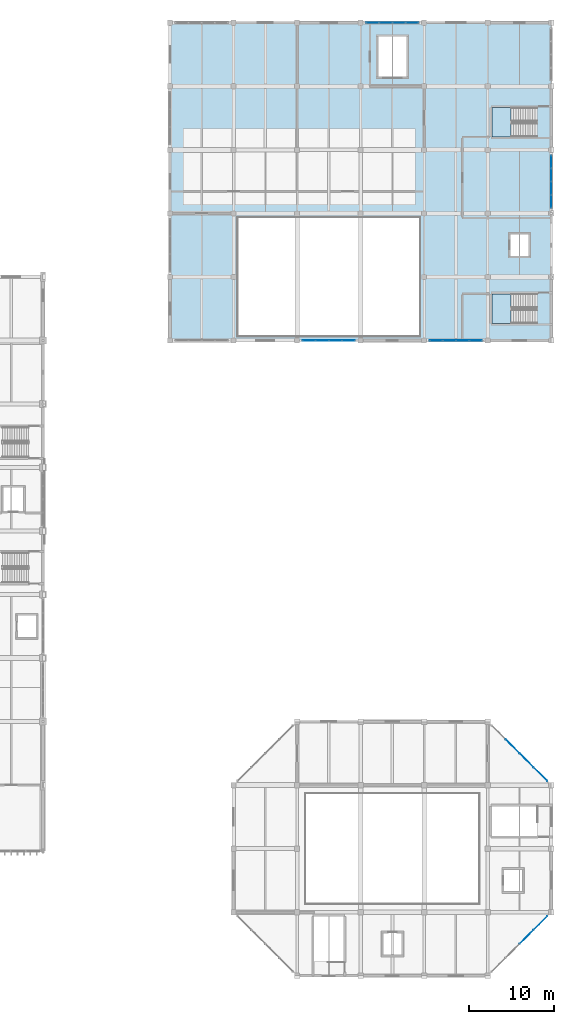
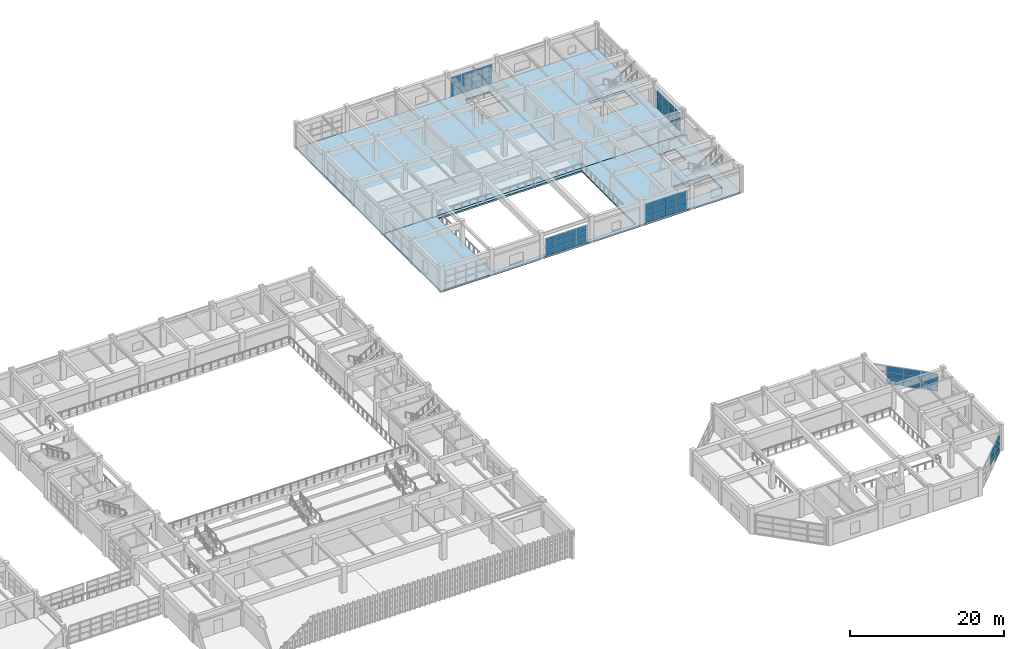
# One storey, part 85 of 124: 62 plates, 4 slabs, 8 elements without a shape of their own.
"""IFC4 building model written with IfcOpenShell, lengths in metres."""

import ifcopenshell
import ifcopenshell.guid

model = None  # the IFC model being written
_history = None  # IfcOwnerHistory: only IFC2X3 demands one
_inside = {}  # id of a spatial element -> (the spatial element, [elements in it])
_under = {}  # id of a project, library or spatial element -> (it, [spatial elements below it])
_declared = {}  # id of a project -> (the project, [libraries it declares])
_typed = {}  # id of a type object -> (the type object, [elements of that type])
_made_of = {}  # id of a material, layer set ... -> (it, [elements and type objects made of it])


def new_model(schema):
    """Start an empty IFC model of exactly this schema.

    Asked for "IFC4X3", IfcOpenShell would pick the latest addendum, in which some entities
    have other attributes; the version numbers below select the first issue.
    IFC2X3 requires an IfcOwnerHistory on every rooted entity: one is made here for all.
    """
    global model, _history
    if schema == "IFC4X3":
        model = ifcopenshell.file(schema_version=(4, 3, 0, 0))
    else:
        model = ifcopenshell.file(schema=schema)
    _inside.clear()
    _under.clear()
    _declared.clear()
    _typed.clear()
    _made_of.clear()
    _history = None
    if model.schema == "IFC2X3":
        org = make("IfcOrganization", Name="unknown")
        user = make(
            "IfcPersonAndOrganization",
            ThePerson=make("IfcPerson", FamilyName="unknown"),
            TheOrganization=org,
        )
        app = make(
            "IfcApplication",
            ApplicationDeveloper=org,
            Version="unknown",
            ApplicationFullName="unknown",
            ApplicationIdentifier="unknown",
        )
        _history = make(
            "IfcOwnerHistory",
            OwningUser=user,
            OwningApplication=app,
            ChangeAction="ADDED",
            CreationDate=0,
        )
    return model


def make(cls, **values):
    """One entity of the class cls with the attributes given. An attribute that is None is left unset."""
    return model.create_entity(
        cls, **{name: value for name, value in values.items() if value is not None}
    )


def rooted(cls, **values):
    """An entity with a GlobalId (a new one), such as an element, a storey or a relation."""
    return make(cls, GlobalId=ifcopenshell.guid.new(), OwnerHistory=_history, **values)


def si_unit(unit_type, name, prefix=None):
    """IfcSIUnit, for example si_unit("LENGTHUNIT", "METRE", prefix="MILLI")."""
    return make("IfcSIUnit", UnitType=unit_type, Prefix=prefix, Name=name)


def assignment(units):
    """IfcUnitAssignment: the units of a project."""
    return None if units is None else make("IfcUnitAssignment", Units=units)


def point(xyz):
    """IfcCartesianPoint."""
    return None if xyz is None else make("IfcCartesianPoint", Coordinates=xyz)


def direction(xyz):
    """IfcDirection."""
    return None if xyz is None else make("IfcDirection", DirectionRatios=xyz)


def frame(location, z_axis=None, x_axis=None):
    """IfcAxis2Placement3D, a coordinate frame: its origin and axes. An axis left out is left unset."""
    return make(
        "IfcAxis2Placement3D",
        Location=point(location),
        Axis=direction(z_axis),
        RefDirection=direction(x_axis),
    )


def frame_2d(location, x_axis=None):
    """IfcAxis2Placement2D, a coordinate frame in the plane: its origin and x axis."""
    return make(
        "IfcAxis2Placement2D", Location=point(location), RefDirection=direction(x_axis)
    )


def origin():
    """The frame at (0, 0, 0) with its axes left unset."""
    return frame((0.0, 0.0, 0.0))


def origin_2d():
    """The frame at (0, 0) in the plane with its x axis left unset."""
    return frame_2d((0.0, 0.0))


def place(relative_to, where):
    """IfcLocalPlacement: puts the frame where relative to a parent placement (None: the world)."""
    return make(
        "IfcLocalPlacement", PlacementRelTo=relative_to, RelativePlacement=where
    )


def context(
    kind, dimensions, precision=None, world=None, true_north=None, identifier=None
):
    """IfcGeometricRepresentationContext, for example the 3D "Model" context."""
    return make(
        "IfcGeometricRepresentationContext",
        ContextIdentifier=identifier,
        ContextType=kind,
        CoordinateSpaceDimension=dimensions,
        Precision=precision,
        WorldCoordinateSystem=world,
        TrueNorth=true_north,
    )


def subcontext(parent, identifier, kind, view, scale=None):
    """IfcGeometricRepresentationSubContext, for example "Body" below "Model"."""
    return make(
        "IfcGeometricRepresentationSubContext",
        ContextIdentifier=identifier,
        ContextType=kind,
        ParentContext=parent,
        TargetScale=scale,
        TargetView=view,
    )


def project(units=None, contexts=None):
    """IfcProject with its units and contexts."""
    return rooted(
        "IfcProject",
        Name="project",
        RepresentationContexts=contexts,
        UnitsInContext=assignment(units),
    )


def spatial(cls, under=None, at=None, **own):
    """A site, building, storey or space (cls), placed at a placement, below another one or the project."""
    s = rooted(cls, ObjectPlacement=at, **own)
    if under is not None:
        _under.setdefault(under.id(), (under, []))[1].append(s)
    return s


def polyline(points):
    """IfcPolyline through the points."""
    return make("IfcPolyline", Points=[point(p) for p in points])


def profile(cls, at=None, kind="AREA", **sizes):
    """A parametric profile (cls). Its sizes go by their IFC names, for example OverallWidth=200.0."""
    return make(cls, ProfileType=kind, Position=at, **sizes)


def rectangle(**sizes):
    """IfcRectangleProfileDef."""
    return profile("IfcRectangleProfileDef", **sizes)


def outline(outer, holes=None, kind="AREA"):
    """IfcArbitraryClosedProfileDef: a profile drawn as a closed curve; with holes, ...WithVoids."""
    if holes is None:
        return make("IfcArbitraryClosedProfileDef", ProfileType=kind, OuterCurve=outer)
    return make(
        "IfcArbitraryProfileDefWithVoids",
        ProfileType=kind,
        OuterCurve=outer,
        InnerCurves=holes,
    )


def extrude(swept, where, along, depth):
    """IfcExtrudedAreaSolid: the profile swept, set in the frame where, extruded along a direction by depth."""
    return make(
        "IfcExtrudedAreaSolid",
        SweptArea=swept,
        Position=where,
        ExtrudedDirection=direction(along),
        Depth=depth,
    )


def shape(context_of_items, identifier, shape_type, items):
    """IfcShapeRepresentation: the items that make up one representation, for example the "Body"."""
    return make(
        "IfcShapeRepresentation",
        ContextOfItems=context_of_items,
        RepresentationIdentifier=identifier,
        RepresentationType=shape_type,
        Items=items,
    )


def material(Name=None, Category=None):
    """IfcMaterial."""
    return make("IfcMaterial", Name=Name, Category=Category)


def layer(
    of_material, thickness, ventilated=None, Name=None, Category=None, Priority=None
):
    """IfcMaterialLayer: one layer of a wall or slab, of a material (None: an air gap)."""
    return make(
        "IfcMaterialLayer",
        Material=of_material,
        LayerThickness=thickness,
        IsVentilated=ventilated,
        Name=Name,
        Category=Category,
        Priority=Priority,
    )


def layer_set(layers, Name=None):
    """IfcMaterialLayerSet."""
    return make("IfcMaterialLayerSet", MaterialLayers=layers, LayerSetName=Name)


def made_of(thing, what):
    """Note that an element or type object is made of a material, layer set ...; save() writes the relation."""
    if what is not None:
        _made_of.setdefault(what.id(), (what, []))[1].append(thing)
    return thing


def type_object(cls, material=None, **own):
    """A type object (cls), such as IfcWallType, which elements share."""
    return made_of(rooted(cls, **own), material)


def element(
    cls,
    number,
    at=None,
    inside=None,
    cuts=None,
    type_object=None,
    material=None,
    context=None,
    identifier="Body",
    shape_type=None,
    held_by="IfcProductDefinitionShape",
    body=None,
    shapes=None,
    **own,
):
    """One element of the class cls, such as IfcWall. Its Tag is "e" and its number.

    at: its placement. inside: the storey or other place that contains it. cuts: it is an
    opening in that element (IfcRelVoidsElement). A single representation is given by context,
    identifier, shape_type and body (its items); several are given by shapes. held_by: the class
    of the entity that holds the representations. save() writes the other relations.
    """
    e = rooted(cls, Tag="e%d" % number, ObjectPlacement=at, **own)
    if body is not None:
        shapes = [shape(context, identifier, shape_type, body)]
    if shapes is not None:
        e.Representation = make(held_by, Representations=shapes)
    if inside is not None:
        _inside.setdefault(inside.id(), (inside, []))[1].append(e)
    if cuts is not None:
        rooted(
            "IfcRelVoidsElement", RelatingBuildingElement=cuts, RelatedOpeningElement=e
        )
    if type_object is not None:
        _typed.setdefault(type_object.id(), (type_object, []))[1].append(e)
    return made_of(e, material)


def aggregate(whole, parts):
    """IfcRelAggregates: a whole, such as a stair, and the parts it consists of."""
    return rooted("IfcRelAggregates", RelatingObject=whole, RelatedObjects=parts)


def save(model, path):
    """Write the relations noted so far, then the file.

    IfcRelAggregates (storeys below a building ...), IfcRelContainedInSpatialStructure (elements
    in a storey), IfcRelDefinesByType, IfcRelAssociatesMaterial and IfcRelDeclares: one each for
    every whole, place, type object, material and project.
    """
    for whole, parts in _under.values():
        aggregate(whole, parts)
    for where, things in _inside.values():
        rooted(
            "IfcRelContainedInSpatialStructure",
            RelatedElements=things,
            RelatingStructure=where,
        )
    for kind, things in _typed.values():
        rooted("IfcRelDefinesByType", RelatedObjects=things, RelatingType=kind)
    for what, things in _made_of.values():
        rooted("IfcRelAssociatesMaterial", RelatedObjects=things, RelatingMaterial=what)
    for by, libraries in _declared.values():
        rooted("IfcRelDeclares", RelatingContext=by, RelatedDefinitions=libraries)
    model.write(path)


model = new_model("IFC4")

# Units and contexts
model_context = context("Model", 3, precision=1e-05, world=origin(), true_north=direction((0.0, 1.0)))
body_context = subcontext(model_context, "Body", "Model", "MODEL_VIEW")
ifc_project = project(units=[si_unit("LENGTHUNIT", "METRE"), si_unit("AREAUNIT", "SQUARE_METRE"), si_unit("VOLUMEUNIT", "CUBIC_METRE"), si_unit("PLANEANGLEUNIT", "RADIAN"), si_unit("MASSUNIT", "GRAM", prefix="KILO")], contexts=[model_context])

# Site, building, storey
site_placement = place(None, origin())
site = spatial("IfcSite", under=ifc_project, at=site_placement, CompositionType="ELEMENT")
building_placement = place(site_placement, origin())
building = spatial("IfcBuilding", under=site, at=building_placement, Name="Qasida Concert Hall", CompositionType="ELEMENT")
storey_placement = place(building_placement, frame((0.0, 0.0, 9.0)))
storey = spatial("IfcBuildingStorey", under=building, at=storey_placement, Name="L02", CompositionType="ELEMENT", Elevation=9.0)

# Curtain wall, plates
ifc_material_1 = material(Name="Architectural bronze-anodized aluminium and low-E glass", Category="aluminium")
curtain_wall_type_1 = type_object("IfcCurtainWallType", Name="CW-07", PredefinedType="NOTDEFINED", material=ifc_material_1)
curtain_wall_1_placement = place(storey_placement, origin())
curtain_wall_1 = element("IfcCurtainWall", 1, at=curtain_wall_1_placement, inside=storey, type_object=curtain_wall_type_1, Name="L02 curtain wall CW-07 0147", PredefinedType="NOTDEFINED")
ifc_material_2 = material(Name="Solar-control low-E double glazing", Category="glass")
ifc_layer_1 = layer(ifc_material_2, 0.031982421875, Name="Solar-control low-E double glazing")
ifc_layer_set_1 = layer_set([ifc_layer_1], Name="Solar-control low-E double glazing")
plate_type = type_object("IfcPlateType", Name="PLT-CWP-2", PredefinedType="CURTAIN_PANEL", material=ifc_layer_set_1)
plate_1_placement = place(storey_placement, frame((162.077880859375, 4.577880859375, 1.00341796875), z_axis=(0.0, 0.0, 1.0), x_axis=(0.707106781187, 0.707106781187, 0.0)))
plate_1 = element("IfcPlate", 2, at=plate_1_placement, type_object=plate_type, Name="CW-07 panel 3.2", PredefinedType="CURTAIN_PANEL", context=body_context, shape_type="SweptSolid", body=[
    extrude(rectangle(XDim=2.276611328125, YDim=0.031982421875, at=origin_2d()), origin(), (0.0, 0.0, 1.0), 0.913330078125),
])
plate_2_placement = place(storey_placement, frame((162.077880859375, 4.577880859375, 1.976806640625), z_axis=(0.0, 0.0, 1.0), x_axis=(0.707106781187, 0.707106781187, 0.0)))
plate_2 = element("IfcPlate", 3, at=plate_2_placement, type_object=plate_type, Name="CW-07 panel 3.3", PredefinedType="CURTAIN_PANEL", context=body_context, shape_type="SweptSolid", body=[
    extrude(rectangle(XDim=2.276611328125, YDim=0.031982421875, at=origin_2d()), origin(), (0.0, 0.0, 1.0), 0.88330078125),
])
plate_3_placement = place(storey_placement, frame((163.72216796875, 6.22216796875, 0.06005859375), z_axis=(0.0, 0.0, 1.0), x_axis=(0.707106781187, 0.707106781187, 0.0)))
plate_3 = element("IfcPlate", 4, at=plate_3_placement, type_object=plate_type, Name="CW-07 panel 4.1", PredefinedType="CURTAIN_PANEL", context=body_context, shape_type="SweptSolid", body=[
    extrude(rectangle(XDim=2.244140625, YDim=0.031982421875, at=origin_2d()), origin(), (0.0, 0.0, 1.0), 0.88330078125),
])
plate_4_placement = place(storey_placement, frame((163.72216796875, 6.22216796875, 1.00341796875), z_axis=(0.0, 0.0, 1.0), x_axis=(0.707106781187, 0.707106781187, 0.0)))
plate_4 = element("IfcPlate", 5, at=plate_4_placement, type_object=plate_type, Name="CW-07 panel 4.2", PredefinedType="CURTAIN_PANEL", context=body_context, shape_type="SweptSolid", body=[
    extrude(rectangle(XDim=2.244140625, YDim=0.031982421875, at=origin_2d()), origin(), (0.0, 0.0, 1.0), 0.913330078125),
])
plate_5_placement = place(storey_placement, frame((163.72216796875, 6.22216796875, 1.976806640625), z_axis=(0.0, 0.0, 1.0), x_axis=(0.707106781187, 0.707106781187, 0.0)))
plate_5 = element("IfcPlate", 6, at=plate_5_placement, type_object=plate_type, Name="CW-07 panel 4.3", PredefinedType="CURTAIN_PANEL", context=body_context, shape_type="SweptSolid", body=[
    extrude(rectangle(XDim=2.244140625, YDim=0.031982421875, at=origin_2d()), origin(), (0.0, 0.0, 1.0), 0.88330078125),
])
aggregate(curtain_wall_1, [plate_1, plate_2, plate_3, plate_4, plate_5])

curtain_wall_2_placement = place(storey_placement, origin())
curtain_wall_2 = element("IfcCurtainWall", 7, at=curtain_wall_2_placement, inside=storey, type_object=curtain_wall_type_1, Name="L02 curtain wall CW-07 0148", PredefinedType="NOTDEFINED")
plate_6_placement = place(storey_placement, frame((163.72216796875, 23.77783203125, 0.06005859375), z_axis=(0.0, 0.0, 1.0), x_axis=(-0.707106781187, 0.707106781187, 0.0)))
plate_6 = element("IfcPlate", 8, at=plate_6_placement, type_object=plate_type, Name="CW-07 panel 1.1", PredefinedType="CURTAIN_PANEL", context=body_context, shape_type="SweptSolid", body=[
    extrude(rectangle(XDim=2.244140625, YDim=0.031982421875, at=origin_2d()), origin(), (0.0, 0.0, 1.0), 0.88330078125),
])
plate_7_placement = place(storey_placement, frame((163.72216796875, 23.77783203125, 1.00341796875), z_axis=(0.0, 0.0, 1.0), x_axis=(-0.707106781187, 0.707106781187, 0.0)))
plate_7 = element("IfcPlate", 9, at=plate_7_placement, type_object=plate_type, Name="CW-07 panel 1.2", PredefinedType="CURTAIN_PANEL", context=body_context, shape_type="SweptSolid", body=[
    extrude(rectangle(XDim=2.244140625, YDim=0.031982421875, at=origin_2d()), origin(), (0.0, 0.0, 1.0), 0.913330078125),
])
plate_8_placement = place(storey_placement, frame((163.72216796875, 23.77783203125, 1.976806640625), z_axis=(0.0, 0.0, 1.0), x_axis=(-0.707106781187, 0.707106781187, 0.0)))
plate_8 = element("IfcPlate", 10, at=plate_8_placement, type_object=plate_type, Name="CW-07 panel 1.3", PredefinedType="CURTAIN_PANEL", context=body_context, shape_type="SweptSolid", body=[
    extrude(rectangle(XDim=2.244140625, YDim=0.031982421875, at=origin_2d()), origin(), (0.0, 0.0, 1.0), 0.88330078125),
])
plate_9_placement = place(storey_placement, frame((162.077880859375, 25.422119140625, 0.06005859375), z_axis=(0.0, 0.0, 1.0), x_axis=(-0.707106781187, 0.707106781187, 0.0)))
plate_9 = element("IfcPlate", 11, at=plate_9_placement, type_object=plate_type, Name="CW-07 panel 2.1", PredefinedType="CURTAIN_PANEL", context=body_context, shape_type="SweptSolid", body=[
    extrude(rectangle(XDim=2.276611328125, YDim=0.031982421875, at=origin_2d()), origin(), (0.0, 0.0, 1.0), 0.88330078125),
])
plate_10_placement = place(storey_placement, frame((162.077880859375, 25.422119140625, 1.00341796875), z_axis=(0.0, 0.0, 1.0), x_axis=(-0.707106781187, 0.707106781187, 0.0)))
plate_10 = element("IfcPlate", 12, at=plate_10_placement, type_object=plate_type, Name="CW-07 panel 2.2", PredefinedType="CURTAIN_PANEL", context=body_context, shape_type="SweptSolid", body=[
    extrude(rectangle(XDim=2.276611328125, YDim=0.031982421875, at=origin_2d()), origin(), (0.0, 0.0, 1.0), 0.913330078125),
])
plate_11_placement = place(storey_placement, frame((162.077880859375, 25.422119140625, 1.976806640625), z_axis=(0.0, 0.0, 1.0), x_axis=(-0.707106781187, 0.707106781187, 0.0)))
plate_11 = element("IfcPlate", 13, at=plate_11_placement, type_object=plate_type, Name="CW-07 panel 2.3", PredefinedType="CURTAIN_PANEL", context=body_context, shape_type="SweptSolid", body=[
    extrude(rectangle(XDim=2.276611328125, YDim=0.031982421875, at=origin_2d()), origin(), (0.0, 0.0, 1.0), 0.88330078125),
])
plate_12_placement = place(storey_placement, frame((160.422119140625, 27.077880859375, 0.06005859375), z_axis=(0.0, 0.0, 1.0), x_axis=(-0.707106781187, 0.707106781187, 0.0)))
plate_12 = element("IfcPlate", 14, at=plate_12_placement, type_object=plate_type, Name="CW-07 panel 3.1", PredefinedType="CURTAIN_PANEL", context=body_context, shape_type="SweptSolid", body=[
    extrude(rectangle(XDim=2.276611328125, YDim=0.031982421875, at=origin_2d()), origin(), (0.0, 0.0, 1.0), 0.88330078125),
])
plate_13_placement = place(storey_placement, frame((160.422119140625, 27.077880859375, 1.00341796875), z_axis=(0.0, 0.0, 1.0), x_axis=(-0.707106781187, 0.707106781187, 0.0)))
plate_13 = element("IfcPlate", 15, at=plate_13_placement, type_object=plate_type, Name="CW-07 panel 3.2", PredefinedType="CURTAIN_PANEL", context=body_context, shape_type="SweptSolid", body=[
    extrude(rectangle(XDim=2.276611328125, YDim=0.031982421875, at=origin_2d()), origin(), (0.0, 0.0, 1.0), 0.913330078125),
])
plate_14_placement = place(storey_placement, frame((160.422119140625, 27.077880859375, 1.976806640625), z_axis=(0.0, 0.0, 1.0), x_axis=(-0.707106781187, 0.707106781187, 0.0)))
plate_14 = element("IfcPlate", 16, at=plate_14_placement, type_object=plate_type, Name="CW-07 panel 3.3", PredefinedType="CURTAIN_PANEL", context=body_context, shape_type="SweptSolid", body=[
    extrude(rectangle(XDim=2.276611328125, YDim=0.031982421875, at=origin_2d()), origin(), (0.0, 0.0, 1.0), 0.88330078125),
])
aggregate(curtain_wall_2, [plate_6, plate_7, plate_8, plate_9, plate_10, plate_11, plate_12, plate_13, plate_14])

curtain_wall_type_2 = type_object("IfcCurtainWallType", Name="CW-03", PredefinedType="NOTDEFINED", material=ifc_material_1)
curtain_wall_3_placement = place(storey_placement, origin())
curtain_wall_3 = element("IfcCurtainWall", 17, at=curtain_wall_3_placement, inside=storey, type_object=curtain_wall_type_2, Name="L02 curtain wall CW-03 0171", PredefinedType="NOTDEFINED")
plate_15_placement = place(storey_placement, frame((136.418701171875, 75.0, 0.06005859375), z_axis=(0.0, 0.0, 1.0), x_axis=(1.0, 0.0, 0.0)))
plate_15 = element("IfcPlate", 18, at=plate_15_placement, type_object=plate_type, Name="CW-03 panel 1.1", PredefinedType="CURTAIN_PANEL", context=body_context, shape_type="SweptSolid", body=[
    extrude(rectangle(XDim=1.467529296875, YDim=0.031982421875, at=origin_2d()), origin(), (0.0, 0.0, 1.0), 0.86669921875),
])
plate_16_placement = place(storey_placement, frame((136.418701171875, 75.0, 0.98681640625), z_axis=(0.0, 0.0, 1.0), x_axis=(1.0, 0.0, 0.0)))
plate_16 = element("IfcPlate", 19, at=plate_16_placement, type_object=plate_type, Name="CW-03 panel 1.2", PredefinedType="CURTAIN_PANEL", context=body_context, shape_type="SweptSolid", body=[
    extrude(rectangle(XDim=1.467529296875, YDim=0.031982421875, at=origin_2d()), origin(), (0.0, 0.0, 1.0), 0.896484375),
])
plate_17_placement = place(storey_placement, frame((136.418701171875, 75.0, 1.943359375), z_axis=(0.0, 0.0, 1.0), x_axis=(1.0, 0.0, 0.0)))
plate_17 = element("IfcPlate", 20, at=plate_17_placement, type_object=plate_type, Name="CW-03 panel 1.3", PredefinedType="CURTAIN_PANEL", context=body_context, shape_type="SweptSolid", body=[
    extrude(rectangle(XDim=1.467529296875, YDim=0.031982421875, at=origin_2d()), origin(), (0.0, 0.0, 1.0), 0.86669921875),
])
plate_18_placement = place(storey_placement, frame((137.967529296875, 75.0, 0.06005859375), z_axis=(0.0, 0.0, 1.0), x_axis=(1.0, 0.0, 0.0)))
plate_18 = element("IfcPlate", 21, at=plate_18_placement, type_object=plate_type, Name="CW-03 panel 2.1", PredefinedType="CURTAIN_PANEL", context=body_context, shape_type="SweptSolid", body=[
    extrude(rectangle(XDim=1.5, YDim=0.031982421875, at=origin_2d()), origin(), (0.0, 0.0, 1.0), 0.86669921875),
])
plate_19_placement = place(storey_placement, frame((137.967529296875, 75.0, 0.98681640625), z_axis=(0.0, 0.0, 1.0), x_axis=(1.0, 0.0, 0.0)))
plate_19 = element("IfcPlate", 22, at=plate_19_placement, type_object=plate_type, Name="CW-03 panel 2.2", PredefinedType="CURTAIN_PANEL", context=body_context, shape_type="SweptSolid", body=[
    extrude(rectangle(XDim=1.5, YDim=0.031982421875, at=origin_2d()), origin(), (0.0, 0.0, 1.0), 0.896484375),
])
plate_20_placement = place(storey_placement, frame((137.967529296875, 75.0, 1.943359375), z_axis=(0.0, 0.0, 1.0), x_axis=(1.0, 0.0, 0.0)))
plate_20 = element("IfcPlate", 23, at=plate_20_placement, type_object=plate_type, Name="CW-03 panel 2.3", PredefinedType="CURTAIN_PANEL", context=body_context, shape_type="SweptSolid", body=[
    extrude(rectangle(XDim=1.5, YDim=0.031982421875, at=origin_2d()), origin(), (0.0, 0.0, 1.0), 0.86669921875),
])
plate_21_placement = place(storey_placement, frame((139.532470703125, 75.0, 0.06005859375), z_axis=(0.0, 0.0, 1.0), x_axis=(1.0, 0.0, 0.0)))
plate_21 = element("IfcPlate", 24, at=plate_21_placement, type_object=plate_type, Name="CW-03 panel 3.1", PredefinedType="CURTAIN_PANEL", context=body_context, shape_type="SweptSolid", body=[
    extrude(rectangle(XDim=1.5, YDim=0.031982421875, at=origin_2d()), origin(), (0.0, 0.0, 1.0), 0.86669921875),
])
plate_22_placement = place(storey_placement, frame((139.532470703125, 75.0, 0.98681640625), z_axis=(0.0, 0.0, 1.0), x_axis=(1.0, 0.0, 0.0)))
plate_22 = element("IfcPlate", 25, at=plate_22_placement, type_object=plate_type, Name="CW-03 panel 3.2", PredefinedType="CURTAIN_PANEL", context=body_context, shape_type="SweptSolid", body=[
    extrude(rectangle(XDim=1.5, YDim=0.031982421875, at=origin_2d()), origin(), (0.0, 0.0, 1.0), 0.896484375),
])
plate_23_placement = place(storey_placement, frame((139.532470703125, 75.0, 1.943359375), z_axis=(0.0, 0.0, 1.0), x_axis=(1.0, 0.0, 0.0)))
plate_23 = element("IfcPlate", 26, at=plate_23_placement, type_object=plate_type, Name="CW-03 panel 3.3", PredefinedType="CURTAIN_PANEL", context=body_context, shape_type="SweptSolid", body=[
    extrude(rectangle(XDim=1.5, YDim=0.031982421875, at=origin_2d()), origin(), (0.0, 0.0, 1.0), 0.86669921875),
])
plate_24_placement = place(storey_placement, frame((141.081298828125, 75.0, 0.06005859375), z_axis=(0.0, 0.0, 1.0), x_axis=(1.0, 0.0, 0.0)))
plate_24 = element("IfcPlate", 27, at=plate_24_placement, type_object=plate_type, Name="CW-03 panel 4.1", PredefinedType="CURTAIN_PANEL", context=body_context, shape_type="SweptSolid", body=[
    extrude(rectangle(XDim=1.467529296875, YDim=0.031982421875, at=origin_2d()), origin(), (0.0, 0.0, 1.0), 0.86669921875),
])
plate_25_placement = place(storey_placement, frame((141.081298828125, 75.0, 0.98681640625), z_axis=(0.0, 0.0, 1.0), x_axis=(1.0, 0.0, 0.0)))
plate_25 = element("IfcPlate", 28, at=plate_25_placement, type_object=plate_type, Name="CW-03 panel 4.2", PredefinedType="CURTAIN_PANEL", context=body_context, shape_type="SweptSolid", body=[
    extrude(rectangle(XDim=1.467529296875, YDim=0.031982421875, at=origin_2d()), origin(), (0.0, 0.0, 1.0), 0.896484375),
])
plate_26_placement = place(storey_placement, frame((141.081298828125, 75.0, 1.943359375), z_axis=(0.0, 0.0, 1.0), x_axis=(1.0, 0.0, 0.0)))
plate_26 = element("IfcPlate", 29, at=plate_26_placement, type_object=plate_type, Name="CW-03 panel 4.3", PredefinedType="CURTAIN_PANEL", context=body_context, shape_type="SweptSolid", body=[
    extrude(rectangle(XDim=1.467529296875, YDim=0.031982421875, at=origin_2d()), origin(), (0.0, 0.0, 1.0), 0.86669921875),
])
aggregate(curtain_wall_3, [plate_15, plate_16, plate_17, plate_18, plate_19, plate_20, plate_21, plate_22, plate_23, plate_24, plate_25, plate_26])

curtain_wall_type_3 = type_object("IfcCurtainWallType", Name="CW-04", PredefinedType="NOTDEFINED", material=ifc_material_1)
curtain_wall_4_placement = place(storey_placement, origin())
curtain_wall_4 = element("IfcCurtainWall", 30, at=curtain_wall_4_placement, inside=storey, type_object=curtain_wall_type_3, Name="L02 curtain wall CW-04 0172", PredefinedType="NOTDEFINED")
plate_27_placement = place(storey_placement, frame((143.918701171875, 112.5, 0.06005859375), z_axis=(0.0, 0.0, 1.0), x_axis=(1.0, 0.0, 0.0)))
plate_27 = element("IfcPlate", 31, at=plate_27_placement, type_object=plate_type, Name="CW-04 panel 1.1", PredefinedType="CURTAIN_PANEL", context=body_context, shape_type="SweptSolid", body=[
    extrude(rectangle(XDim=1.467529296875, YDim=0.031982421875, at=origin_2d()), origin(), (0.0, 0.0, 1.0), 0.949951171875),
])
plate_28_placement = place(storey_placement, frame((143.918701171875, 112.5, 1.070068359375), z_axis=(0.0, 0.0, 1.0), x_axis=(1.0, 0.0, 0.0)))
plate_28 = element("IfcPlate", 32, at=plate_28_placement, type_object=plate_type, Name="CW-04 panel 1.2", PredefinedType="CURTAIN_PANEL", context=body_context, shape_type="SweptSolid", body=[
    extrude(rectangle(XDim=1.467529296875, YDim=0.031982421875, at=origin_2d()), origin(), (0.0, 0.0, 1.0), 0.97998046875),
])
plate_29_placement = place(storey_placement, frame((143.918701171875, 112.5, 2.10986328125), z_axis=(0.0, 0.0, 1.0), x_axis=(1.0, 0.0, 0.0)))
plate_29 = element("IfcPlate", 33, at=plate_29_placement, type_object=plate_type, Name="CW-04 panel 1.3", PredefinedType="CURTAIN_PANEL", context=body_context, shape_type="SweptSolid", body=[
    extrude(rectangle(XDim=1.467529296875, YDim=0.031982421875, at=origin_2d()), origin(), (0.0, 0.0, 1.0), 0.949951171875),
])
plate_30_placement = place(storey_placement, frame((145.467529296875, 112.5, 0.06005859375), z_axis=(0.0, 0.0, 1.0), x_axis=(1.0, 0.0, 0.0)))
plate_30 = element("IfcPlate", 34, at=plate_30_placement, type_object=plate_type, Name="CW-04 panel 2.1", PredefinedType="CURTAIN_PANEL", context=body_context, shape_type="SweptSolid", body=[
    extrude(rectangle(XDim=1.5, YDim=0.031982421875, at=origin_2d()), origin(), (0.0, 0.0, 1.0), 0.949951171875),
])
plate_31_placement = place(storey_placement, frame((145.467529296875, 112.5, 1.070068359375), z_axis=(0.0, 0.0, 1.0), x_axis=(1.0, 0.0, 0.0)))
plate_31 = element("IfcPlate", 35, at=plate_31_placement, type_object=plate_type, Name="CW-04 panel 2.2", PredefinedType="CURTAIN_PANEL", context=body_context, shape_type="SweptSolid", body=[
    extrude(rectangle(XDim=1.5, YDim=0.031982421875, at=origin_2d()), origin(), (0.0, 0.0, 1.0), 0.97998046875),
])
plate_32_placement = place(storey_placement, frame((145.467529296875, 112.5, 2.10986328125), z_axis=(0.0, 0.0, 1.0), x_axis=(1.0, 0.0, 0.0)))
plate_32 = element("IfcPlate", 36, at=plate_32_placement, type_object=plate_type, Name="CW-04 panel 2.3", PredefinedType="CURTAIN_PANEL", context=body_context, shape_type="SweptSolid", body=[
    extrude(rectangle(XDim=1.5, YDim=0.031982421875, at=origin_2d()), origin(), (0.0, 0.0, 1.0), 0.949951171875),
])
plate_33_placement = place(storey_placement, frame((147.032470703125, 112.5, 0.06005859375), z_axis=(0.0, 0.0, 1.0), x_axis=(1.0, 0.0, 0.0)))
plate_33 = element("IfcPlate", 37, at=plate_33_placement, type_object=plate_type, Name="CW-04 panel 3.1", PredefinedType="CURTAIN_PANEL", context=body_context, shape_type="SweptSolid", body=[
    extrude(rectangle(XDim=1.5, YDim=0.031982421875, at=origin_2d()), origin(), (0.0, 0.0, 1.0), 0.949951171875),
])
plate_34_placement = place(storey_placement, frame((147.032470703125, 112.5, 1.070068359375), z_axis=(0.0, 0.0, 1.0), x_axis=(1.0, 0.0, 0.0)))
plate_34 = element("IfcPlate", 38, at=plate_34_placement, type_object=plate_type, Name="CW-04 panel 3.2", PredefinedType="CURTAIN_PANEL", context=body_context, shape_type="SweptSolid", body=[
    extrude(rectangle(XDim=1.5, YDim=0.031982421875, at=origin_2d()), origin(), (0.0, 0.0, 1.0), 0.97998046875),
])
plate_35_placement = place(storey_placement, frame((147.032470703125, 112.5, 2.10986328125), z_axis=(0.0, 0.0, 1.0), x_axis=(1.0, 0.0, 0.0)))
plate_35 = element("IfcPlate", 39, at=plate_35_placement, type_object=plate_type, Name="CW-04 panel 3.3", PredefinedType="CURTAIN_PANEL", context=body_context, shape_type="SweptSolid", body=[
    extrude(rectangle(XDim=1.5, YDim=0.031982421875, at=origin_2d()), origin(), (0.0, 0.0, 1.0), 0.949951171875),
])
plate_36_placement = place(storey_placement, frame((148.581298828125, 112.5, 0.06005859375), z_axis=(0.0, 0.0, 1.0), x_axis=(1.0, 0.0, 0.0)))
plate_36 = element("IfcPlate", 40, at=plate_36_placement, type_object=plate_type, Name="CW-04 panel 4.1", PredefinedType="CURTAIN_PANEL", context=body_context, shape_type="SweptSolid", body=[
    extrude(rectangle(XDim=1.467529296875, YDim=0.031982421875, at=origin_2d()), origin(), (0.0, 0.0, 1.0), 0.949951171875),
])
plate_37_placement = place(storey_placement, frame((148.581298828125, 112.5, 1.070068359375), z_axis=(0.0, 0.0, 1.0), x_axis=(1.0, 0.0, 0.0)))
plate_37 = element("IfcPlate", 41, at=plate_37_placement, type_object=plate_type, Name="CW-04 panel 4.2", PredefinedType="CURTAIN_PANEL", context=body_context, shape_type="SweptSolid", body=[
    extrude(rectangle(XDim=1.467529296875, YDim=0.031982421875, at=origin_2d()), origin(), (0.0, 0.0, 1.0), 0.97998046875),
])
plate_38_placement = place(storey_placement, frame((148.581298828125, 112.5, 2.10986328125), z_axis=(0.0, 0.0, 1.0), x_axis=(1.0, 0.0, 0.0)))
plate_38 = element("IfcPlate", 42, at=plate_38_placement, type_object=plate_type, Name="CW-04 panel 4.3", PredefinedType="CURTAIN_PANEL", context=body_context, shape_type="SweptSolid", body=[
    extrude(rectangle(XDim=1.467529296875, YDim=0.031982421875, at=origin_2d()), origin(), (0.0, 0.0, 1.0), 0.949951171875),
])
aggregate(curtain_wall_4, [plate_27, plate_28, plate_29, plate_30, plate_31, plate_32, plate_33, plate_34, plate_35, plate_36, plate_37, plate_38])

curtain_wall_5_placement = place(storey_placement, origin())
curtain_wall_5 = element("IfcCurtainWall", 43, at=curtain_wall_5_placement, inside=storey, type_object=curtain_wall_type_2, Name="L02 curtain wall CW-03 0173", PredefinedType="NOTDEFINED")
plate_39_placement = place(storey_placement, frame((151.418701171875, 75.0, 0.06005859375), z_axis=(0.0, 0.0, 1.0), x_axis=(1.0, 0.0, 0.0)))
plate_39 = element("IfcPlate", 44, at=plate_39_placement, type_object=plate_type, Name="CW-03 panel 1.1", PredefinedType="CURTAIN_PANEL", context=body_context, shape_type="SweptSolid", body=[
    extrude(rectangle(XDim=1.467529296875, YDim=0.031982421875, at=origin_2d()), origin(), (0.0, 0.0, 1.0), 0.949951171875),
])
plate_40_placement = place(storey_placement, frame((151.418701171875, 75.0, 1.070068359375), z_axis=(0.0, 0.0, 1.0), x_axis=(1.0, 0.0, 0.0)))
plate_40 = element("IfcPlate", 45, at=plate_40_placement, type_object=plate_type, Name="CW-03 panel 1.2", PredefinedType="CURTAIN_PANEL", context=body_context, shape_type="SweptSolid", body=[
    extrude(rectangle(XDim=1.467529296875, YDim=0.031982421875, at=origin_2d()), origin(), (0.0, 0.0, 1.0), 0.97998046875),
])
plate_41_placement = place(storey_placement, frame((151.418701171875, 75.0, 2.10986328125), z_axis=(0.0, 0.0, 1.0), x_axis=(1.0, 0.0, 0.0)))
plate_41 = element("IfcPlate", 46, at=plate_41_placement, type_object=plate_type, Name="CW-03 panel 1.3", PredefinedType="CURTAIN_PANEL", context=body_context, shape_type="SweptSolid", body=[
    extrude(rectangle(XDim=1.467529296875, YDim=0.031982421875, at=origin_2d()), origin(), (0.0, 0.0, 1.0), 0.949951171875),
])
plate_42_placement = place(storey_placement, frame((152.967529296875, 75.0, 0.06005859375), z_axis=(0.0, 0.0, 1.0), x_axis=(1.0, 0.0, 0.0)))
plate_42 = element("IfcPlate", 47, at=plate_42_placement, type_object=plate_type, Name="CW-03 panel 2.1", PredefinedType="CURTAIN_PANEL", context=body_context, shape_type="SweptSolid", body=[
    extrude(rectangle(XDim=1.5, YDim=0.031982421875, at=origin_2d()), origin(), (0.0, 0.0, 1.0), 0.949951171875),
])
plate_43_placement = place(storey_placement, frame((152.967529296875, 75.0, 1.070068359375), z_axis=(0.0, 0.0, 1.0), x_axis=(1.0, 0.0, 0.0)))
plate_43 = element("IfcPlate", 48, at=plate_43_placement, type_object=plate_type, Name="CW-03 panel 2.2", PredefinedType="CURTAIN_PANEL", context=body_context, shape_type="SweptSolid", body=[
    extrude(rectangle(XDim=1.5, YDim=0.031982421875, at=origin_2d()), origin(), (0.0, 0.0, 1.0), 0.97998046875),
])
plate_44_placement = place(storey_placement, frame((152.967529296875, 75.0, 2.10986328125), z_axis=(0.0, 0.0, 1.0), x_axis=(1.0, 0.0, 0.0)))
plate_44 = element("IfcPlate", 49, at=plate_44_placement, type_object=plate_type, Name="CW-03 panel 2.3", PredefinedType="CURTAIN_PANEL", context=body_context, shape_type="SweptSolid", body=[
    extrude(rectangle(XDim=1.5, YDim=0.031982421875, at=origin_2d()), origin(), (0.0, 0.0, 1.0), 0.949951171875),
])
plate_45_placement = place(storey_placement, frame((154.532470703125, 75.0, 0.06005859375), z_axis=(0.0, 0.0, 1.0), x_axis=(1.0, 0.0, 0.0)))
plate_45 = element("IfcPlate", 50, at=plate_45_placement, type_object=plate_type, Name="CW-03 panel 3.1", PredefinedType="CURTAIN_PANEL", context=body_context, shape_type="SweptSolid", body=[
    extrude(rectangle(XDim=1.5, YDim=0.031982421875, at=origin_2d()), origin(), (0.0, 0.0, 1.0), 0.949951171875),
])
plate_46_placement = place(storey_placement, frame((154.532470703125, 75.0, 1.070068359375), z_axis=(0.0, 0.0, 1.0), x_axis=(1.0, 0.0, 0.0)))
plate_46 = element("IfcPlate", 51, at=plate_46_placement, type_object=plate_type, Name="CW-03 panel 3.2", PredefinedType="CURTAIN_PANEL", context=body_context, shape_type="SweptSolid", body=[
    extrude(rectangle(XDim=1.5, YDim=0.031982421875, at=origin_2d()), origin(), (0.0, 0.0, 1.0), 0.97998046875),
])
plate_47_placement = place(storey_placement, frame((154.532470703125, 75.0, 2.10986328125), z_axis=(0.0, 0.0, 1.0), x_axis=(1.0, 0.0, 0.0)))
plate_47 = element("IfcPlate", 52, at=plate_47_placement, type_object=plate_type, Name="CW-03 panel 3.3", PredefinedType="CURTAIN_PANEL", context=body_context, shape_type="SweptSolid", body=[
    extrude(rectangle(XDim=1.5, YDim=0.031982421875, at=origin_2d()), origin(), (0.0, 0.0, 1.0), 0.949951171875),
])
plate_48_placement = place(storey_placement, frame((156.081298828125, 75.0, 0.06005859375), z_axis=(0.0, 0.0, 1.0), x_axis=(1.0, 0.0, 0.0)))
plate_48 = element("IfcPlate", 53, at=plate_48_placement, type_object=plate_type, Name="CW-03 panel 4.1", PredefinedType="CURTAIN_PANEL", context=body_context, shape_type="SweptSolid", body=[
    extrude(rectangle(XDim=1.467529296875, YDim=0.031982421875, at=origin_2d()), origin(), (0.0, 0.0, 1.0), 0.949951171875),
])
plate_49_placement = place(storey_placement, frame((156.081298828125, 75.0, 1.070068359375), z_axis=(0.0, 0.0, 1.0), x_axis=(1.0, 0.0, 0.0)))
plate_49 = element("IfcPlate", 54, at=plate_49_placement, type_object=plate_type, Name="CW-03 panel 4.2", PredefinedType="CURTAIN_PANEL", context=body_context, shape_type="SweptSolid", body=[
    extrude(rectangle(XDim=1.467529296875, YDim=0.031982421875, at=origin_2d()), origin(), (0.0, 0.0, 1.0), 0.97998046875),
])
plate_50_placement = place(storey_placement, frame((156.081298828125, 75.0, 2.10986328125), z_axis=(0.0, 0.0, 1.0), x_axis=(1.0, 0.0, 0.0)))
plate_50 = element("IfcPlate", 55, at=plate_50_placement, type_object=plate_type, Name="CW-03 panel 4.3", PredefinedType="CURTAIN_PANEL", context=body_context, shape_type="SweptSolid", body=[
    extrude(rectangle(XDim=1.467529296875, YDim=0.031982421875, at=origin_2d()), origin(), (0.0, 0.0, 1.0), 0.949951171875),
])
aggregate(curtain_wall_5, [plate_39, plate_40, plate_41, plate_42, plate_43, plate_44, plate_45, plate_46, plate_47, plate_48, plate_49, plate_50])

curtain_wall_type_4 = type_object("IfcCurtainWallType", Name="CW-11", PredefinedType="NOTDEFINED", material=ifc_material_1)
curtain_wall_6_placement = place(storey_placement, origin())
curtain_wall_6 = element("IfcCurtainWall", 56, at=curtain_wall_6_placement, inside=storey, type_object=curtain_wall_type_4, Name="L02 curtain wall CW-11 0175", PredefinedType="NOTDEFINED")
plate_51_placement = place(storey_placement, frame((165.0, 91.418701171875, 0.06005859375), z_axis=(0.0, 0.0, 1.0), x_axis=(0.0, 1.0, 0.0)))
plate_51 = element("IfcPlate", 57, at=plate_51_placement, type_object=plate_type, Name="CW-11 panel 1.1", PredefinedType="CURTAIN_PANEL", context=body_context, shape_type="SweptSolid", body=[
    extrude(rectangle(XDim=1.467529296875, YDim=0.031982421875, at=origin_2d()), origin(), (0.0, 0.0, 1.0), 0.89990234375),
])
plate_52_placement = place(storey_placement, frame((165.0, 91.418701171875, 1.02001953125), z_axis=(0.0, 0.0, 1.0), x_axis=(0.0, 1.0, 0.0)))
plate_52 = element("IfcPlate", 58, at=plate_52_placement, type_object=plate_type, Name="CW-11 panel 1.2", PredefinedType="CURTAIN_PANEL", context=body_context, shape_type="SweptSolid", body=[
    extrude(rectangle(XDim=1.467529296875, YDim=0.031982421875, at=origin_2d()), origin(), (0.0, 0.0, 1.0), 0.929931640625),
])
plate_53_placement = place(storey_placement, frame((165.0, 91.418701171875, 2.010009765625), z_axis=(0.0, 0.0, 1.0), x_axis=(0.0, 1.0, 0.0)))
plate_53 = element("IfcPlate", 59, at=plate_53_placement, type_object=plate_type, Name="CW-11 panel 1.3", PredefinedType="CURTAIN_PANEL", context=body_context, shape_type="SweptSolid", body=[
    extrude(rectangle(XDim=1.467529296875, YDim=0.031982421875, at=origin_2d()), origin(), (0.0, 0.0, 1.0), 0.89990234375),
])
plate_54_placement = place(storey_placement, frame((165.0, 92.967529296875, 0.06005859375), z_axis=(0.0, 0.0, 1.0), x_axis=(0.0, 1.0, 0.0)))
plate_54 = element("IfcPlate", 60, at=plate_54_placement, type_object=plate_type, Name="CW-11 panel 2.1", PredefinedType="CURTAIN_PANEL", context=body_context, shape_type="SweptSolid", body=[
    extrude(rectangle(XDim=1.5, YDim=0.031982421875, at=origin_2d()), origin(), (0.0, 0.0, 1.0), 0.89990234375),
])
plate_55_placement = place(storey_placement, frame((165.0, 92.967529296875, 1.02001953125), z_axis=(0.0, 0.0, 1.0), x_axis=(0.0, 1.0, 0.0)))
plate_55 = element("IfcPlate", 61, at=plate_55_placement, type_object=plate_type, Name="CW-11 panel 2.2", PredefinedType="CURTAIN_PANEL", context=body_context, shape_type="SweptSolid", body=[
    extrude(rectangle(XDim=1.5, YDim=0.031982421875, at=origin_2d()), origin(), (0.0, 0.0, 1.0), 0.929931640625),
])
plate_56_placement = place(storey_placement, frame((165.0, 92.967529296875, 2.010009765625), z_axis=(0.0, 0.0, 1.0), x_axis=(0.0, 1.0, 0.0)))
plate_56 = element("IfcPlate", 62, at=plate_56_placement, type_object=plate_type, Name="CW-11 panel 2.3", PredefinedType="CURTAIN_PANEL", context=body_context, shape_type="SweptSolid", body=[
    extrude(rectangle(XDim=1.5, YDim=0.031982421875, at=origin_2d()), origin(), (0.0, 0.0, 1.0), 0.89990234375),
])
plate_57_placement = place(storey_placement, frame((165.0, 94.532470703125, 0.06005859375), z_axis=(0.0, 0.0, 1.0), x_axis=(0.0, 1.0, 0.0)))
plate_57 = element("IfcPlate", 63, at=plate_57_placement, type_object=plate_type, Name="CW-11 panel 3.1", PredefinedType="CURTAIN_PANEL", context=body_context, shape_type="SweptSolid", body=[
    extrude(rectangle(XDim=1.5, YDim=0.031982421875, at=origin_2d()), origin(), (0.0, 0.0, 1.0), 0.89990234375),
])
plate_58_placement = place(storey_placement, frame((165.0, 94.532470703125, 1.02001953125), z_axis=(0.0, 0.0, 1.0), x_axis=(0.0, 1.0, 0.0)))
plate_58 = element("IfcPlate", 64, at=plate_58_placement, type_object=plate_type, Name="CW-11 panel 3.2", PredefinedType="CURTAIN_PANEL", context=body_context, shape_type="SweptSolid", body=[
    extrude(rectangle(XDim=1.5, YDim=0.031982421875, at=origin_2d()), origin(), (0.0, 0.0, 1.0), 0.929931640625),
])
plate_59_placement = place(storey_placement, frame((165.0, 94.532470703125, 2.010009765625), z_axis=(0.0, 0.0, 1.0), x_axis=(0.0, 1.0, 0.0)))
plate_59 = element("IfcPlate", 65, at=plate_59_placement, type_object=plate_type, Name="CW-11 panel 3.3", PredefinedType="CURTAIN_PANEL", context=body_context, shape_type="SweptSolid", body=[
    extrude(rectangle(XDim=1.5, YDim=0.031982421875, at=origin_2d()), origin(), (0.0, 0.0, 1.0), 0.89990234375),
])
plate_60_placement = place(storey_placement, frame((165.0, 96.081298828125, 0.06005859375), z_axis=(0.0, 0.0, 1.0), x_axis=(0.0, 1.0, 0.0)))
plate_60 = element("IfcPlate", 66, at=plate_60_placement, type_object=plate_type, Name="CW-11 panel 4.1", PredefinedType="CURTAIN_PANEL", context=body_context, shape_type="SweptSolid", body=[
    extrude(rectangle(XDim=1.467529296875, YDim=0.031982421875, at=origin_2d()), origin(), (0.0, 0.0, 1.0), 0.89990234375),
])
plate_61_placement = place(storey_placement, frame((165.0, 96.081298828125, 1.02001953125), z_axis=(0.0, 0.0, 1.0), x_axis=(0.0, 1.0, 0.0)))
plate_61 = element("IfcPlate", 67, at=plate_61_placement, type_object=plate_type, Name="CW-11 panel 4.2", PredefinedType="CURTAIN_PANEL", context=body_context, shape_type="SweptSolid", body=[
    extrude(rectangle(XDim=1.467529296875, YDim=0.031982421875, at=origin_2d()), origin(), (0.0, 0.0, 1.0), 0.929931640625),
])
plate_62_placement = place(storey_placement, frame((165.0, 96.081298828125, 2.010009765625), z_axis=(0.0, 0.0, 1.0), x_axis=(0.0, 1.0, 0.0)))
plate_62 = element("IfcPlate", 68, at=plate_62_placement, type_object=plate_type, Name="CW-11 panel 4.3", PredefinedType="CURTAIN_PANEL", context=body_context, shape_type="SweptSolid", body=[
    extrude(rectangle(XDim=1.467529296875, YDim=0.031982421875, at=origin_2d()), origin(), (0.0, 0.0, 1.0), 0.89990234375),
])
aggregate(curtain_wall_6, [plate_51, plate_52, plate_53, plate_54, plate_55, plate_56, plate_57, plate_58, plate_59, plate_60, plate_61, plate_62])

# Slabs
ifc_material_3 = material(Name="Concrete C40/50", Category="concrete")
ifc_layer_2 = layer(ifc_material_3, 0.260009765625, Name="Concrete C40/50")
ifc_layer_set_2 = layer_set([ifc_layer_2], Name="Concrete C40/50")
slab_type_1 = type_object("IfcSlabType", Name="SL-FS-260", PredefinedType="FLOOR", material=ifc_layer_set_2)
slab_1_placement = place(storey_placement, frame((0.0, 0.0, -0.260009765625)))
element("IfcSlab", 69, at=slab_1_placement, inside=storey, type_object=slab_type_1, Name="V4 music library south (FS-260)", PredefinedType="FLOOR", context=body_context, shape_type="SweptSolid", body=[
    extrude(outline(polyline([(120.0, 75.0), (165.0, 75.0), (165.0, 90.0), (120.0, 90.0), (120.0, 75.0)]), holes=[polyline([(128.0, 75.5), (149.5, 75.5), (149.5, 89.5), (128.0, 89.5), (128.0, 75.5)]), polyline([(157.97998046875, 77.0), (163.340087890625, 77.0), (163.340087890625, 80.5), (157.97998046875, 80.5), (157.97998046875, 77.0)]), polyline([(160.050048828125, 84.85009765625), (162.449951171875, 84.85009765625), (162.449951171875, 87.64990234375), (160.050048828125, 87.64990234375), (160.050048828125, 84.85009765625)])]), origin(), (0.0, 0.0, 1.0), 0.260009765625),
])
slab_2_placement = place(storey_placement, frame((0.0, 0.0, -0.260009765625)))
element("IfcSlab", 70, at=slab_2_placement, inside=storey, type_object=slab_type_1, Name="V4 instrument workshop north (FS-260)", PredefinedType="FLOOR", context=body_context, shape_type="SweptSolid", body=[
    extrude(outline(polyline([(120.0, 90.0), (165.0, 90.0), (165.0, 112.5), (120.0, 112.5), (120.0, 90.0)]), holes=[polyline([(157.97998046875, 99.0), (163.340087890625, 99.0), (163.340087890625, 102.5), (157.97998046875, 102.5), (157.97998046875, 99.0)]), polyline([(144.449951171875, 106.0), (148.050048828125, 106.0), (148.050048828125, 111.0), (144.449951171875, 111.0), (144.449951171875, 106.0)])]), origin(), (0.0, 0.0, 1.0), 0.260009765625),
])

# Stair, slab
stair_type = type_object("IfcStairType", Name="ST-DL-165", PredefinedType="HALF_TURN_STAIR", material=ifc_material_3)
stair_1_placement = place(storey_placement, origin())
stair_1 = element("IfcStair", 71, at=stair_1_placement, inside=storey, type_object=stair_type, Name="L02 Exit stair ST-07", PredefinedType="HALF_TURN_STAIR")
ifc_layer_3 = layer(ifc_material_3, 0.199951171875, Name="Concrete C40/50")
ifc_layer_set_3 = layer_set([ifc_layer_3], Name="Concrete C40/50")
slab_type_2 = type_object("IfcSlabType", Name="SL-LND-200", PredefinedType="LANDING", material=ifc_layer_set_3)
slab_3_placement = place(storey_placement, frame((0.0, 0.0, 1.89990234375)))
slab_3 = element("IfcSlab", 72, at=slab_3_placement, type_object=slab_type_2, Name="ST-07 landing 1", PredefinedType="LANDING", context=body_context, shape_type="SweptSolid", body=[
    extrude(outline(polyline([(160.27001953125, 80.5), (157.97998046875, 80.5), (157.97998046875, 77.0), (160.27001953125, 77.0), (160.27001953125, 80.5)])), origin(), (0.0, 0.0, 1.0), 0.2001953125),
])
aggregate(stair_1, [slab_3])

stair_2_placement = place(storey_placement, origin())
stair_2 = element("IfcStair", 73, at=stair_2_placement, inside=storey, type_object=stair_type, Name="L02 Exit stair ST-08", PredefinedType="HALF_TURN_STAIR")
slab_4_placement = place(storey_placement, frame((0.0, 0.0, 1.89990234375)))
slab_4 = element("IfcSlab", 74, at=slab_4_placement, type_object=slab_type_2, Name="ST-08 landing 1", PredefinedType="LANDING", context=body_context, shape_type="SweptSolid", body=[
    extrude(outline(polyline([(160.27001953125, 102.5), (157.97998046875, 102.5), (157.97998046875, 99.0), (160.27001953125, 99.0), (160.27001953125, 102.5)])), origin(), (0.0, 0.0, 1.0), 0.2001953125),
])
aggregate(stair_2, [slab_4])

save(model, "model.ifc")
